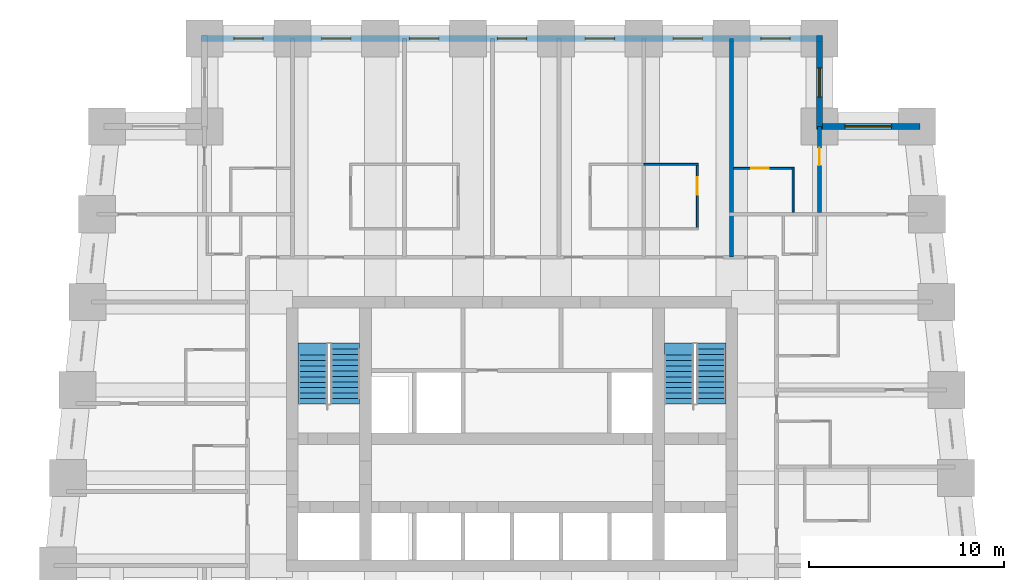
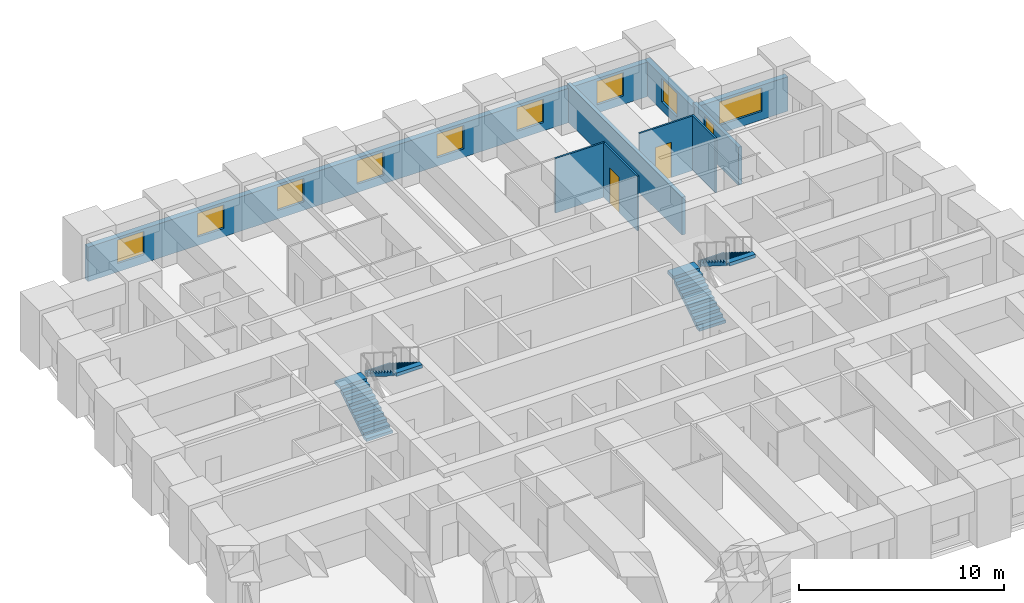
# One storey, part 7 of 8: 9 walls, 9 windows, 4 stair flights, 3 doors, 12 openings, 2 elements without a shape of their own.
"""IFC4 building model written with IfcOpenShell, lengths in metres."""

from ifc_helpers import new_model, si_unit, direction, frame, frame_2d, origin, place, context, subcontext, project, spatial, polyline, rectangle, outline, extrude, material, layer, layer_set, type_object, element, fill, aggregate, save


model = new_model("IFC4")

# Units and contexts
model_context = context("Model", 3, precision=1e-05, world=origin(), true_north=direction((0.0, 1.0)))
body_context = subcontext(model_context, "Body", "Model", "MODEL_VIEW")
ifc_project = project(units=[si_unit("LENGTHUNIT", "METRE"), si_unit("AREAUNIT", "SQUARE_METRE"), si_unit("VOLUMEUNIT", "CUBIC_METRE"), si_unit("PLANEANGLEUNIT", "RADIAN"), si_unit("MASSUNIT", "GRAM", prefix="KILO")], contexts=[model_context])

# Site, building, storey
site_placement = place(None, origin())
site = spatial("IfcSite", under=ifc_project, at=site_placement, CompositionType="ELEMENT")
building_placement = place(site_placement, origin())
building = spatial("IfcBuilding", under=site, at=building_placement, Name="Kilele Tower Hotel", CompositionType="ELEMENT")
storey_placement = place(building_placement, frame((0.0, 0.0, 71.699951171875)))
storey = spatial("IfcBuildingStorey", under=building, at=storey_placement, Name="L17", CompositionType="ELEMENT", Elevation=71.699951171875)

# Wall
ifc_material_1 = material(Name="Moisture-resistant board")
ifc_layer_1 = layer(ifc_material_1, 0.10009765625)
ifc_layer_set_1 = layer_set([ifc_layer_1], Name="Moisture-resistant board")
wall_type_1 = type_object("IfcWallType", Name="Bathroom partition 100", PredefinedType="PLUMBINGWALL", material=ifc_layer_set_1)
wall_1_placement = place(storey_placement, frame((31.5, 34.050048828125, 0.0), z_axis=(0.0, 0.0, 1.0), x_axis=(1.0, 0.0, 0.0)))
element("IfcWall", 1, at=wall_1_placement, inside=storey, type_object=wall_type_1, Name="Bathroom partition 100 L17", PredefinedType="PLUMBINGWALL", context=body_context, shape_type="SweptSolid", body=[
    extrude(rectangle(XDim=2.800048828125, YDim=0.10009765625, at=frame_2d((1.39990234375, 0.0))), origin(), (0.0, 0.0, 1.0), 3.25),
])

# Wall, opening, door
wall_2_placement = place(storey_placement, frame((34.25, 30.699951171875, 0.0), z_axis=(0.0, 0.0, 1.0), x_axis=(0.0, 1.0, 0.0)))
wall_2 = element("IfcWall", 2, at=wall_2_placement, inside=storey, type_object=wall_type_1, Name="Bathroom partition 100 L17", PredefinedType="PLUMBINGWALL", context=body_context, shape_type="SweptSolid", body=[
    extrude(rectangle(XDim=3.400146484375, YDim=0.10009765625, at=frame_2d((1.7001953125, 0.0))), origin(), (0.0, 0.0, 1.0), 3.25),
])
opening_1_placement = place(wall_2_placement, frame((2.699951171875, 0.0, 0.0), z_axis=(0.0, 0.0, 1.0), x_axis=(-1.0, 0.0, 0.0)))
opening_1 = element("IfcOpeningElement", 3, at=opening_1_placement, cuts=wall_2, Name="Opening D2A", PredefinedType="OPENING", context=body_context, shape_type="SweptSolid", body=[
    extrude(rectangle(XDim=0.89990234375, YDim=2.10009765625, at=frame_2d((0.449951171875, 1.050048828125))), frame((0.0, 0.06005859375, 0.0), z_axis=(0.0, -1.0, 0.0), x_axis=(1.0, 0.0, 0.0)), (0.0, 0.0, 1.0), 0.1201171875),
])
ifc_material_2 = material(Name="Timber door leaf in hardwood frame", Category="wood")
door_type_1 = type_object("IfcDoorType", Name="Bathroom door 900", OperationType="SINGLE_SWING_LEFT", PredefinedType="DOOR", material=ifc_material_2)
door_1_placement = place(opening_1_placement, origin())
door_1 = element("IfcDoor", 4, at=door_1_placement, inside=storey, type_object=door_type_1, Name="Bathroom door 1713B", OperationType="SINGLE_SWING_LEFT", OverallHeight=2.10009765625, OverallWidth=0.89990234375, PredefinedType="DOOR", context=body_context, shape_type="SweptSolid", body=[
    extrude(rectangle(XDim=0.89990234375, YDim=2.10009765625, at=frame_2d((0.449951171875, 1.050048828125))), frame((0.0, 0.02490234375, 0.0), z_axis=(0.0, -1.0, 0.0), x_axis=(1.0, 0.0, 0.0)), (0.0, 0.0, 1.0), 0.050048828125),
])
fill(opening_1, door_1)

# Wall
wall_3_placement = place(storey_placement, frame((39.14990234375, 31.60009765625, 0.0), z_axis=(0.0, 0.0, 1.0), x_axis=(0.0, 1.0, 0.0)))
element("IfcWall", 5, at=wall_3_placement, inside=storey, type_object=wall_type_1, Name="Bathroom partition 100 L17", PredefinedType="PLUMBINGWALL", context=body_context, shape_type="SweptSolid", body=[
    extrude(rectangle(XDim=2.2998046875, YDim=0.10009765625, at=frame_2d((1.14990234375, 0.0))), origin(), (0.0, 0.0, 1.0), 3.25),
])

# Wall, opening, door
wall_4_placement = place(storey_placement, frame((36.10009765625, 33.85009765625, 0.0), z_axis=(0.0, 0.0, 1.0), x_axis=(1.0, 0.0, 0.0)))
wall_4 = element("IfcWall", 6, at=wall_4_placement, inside=storey, type_object=wall_type_1, Name="Bathroom partition 100 L17", PredefinedType="PLUMBINGWALL", context=body_context, shape_type="SweptSolid", body=[
    extrude(rectangle(XDim=3.099853515625, YDim=0.10009765625, at=frame_2d((1.5498046875, 0.0))), origin(), (0.0, 0.0, 1.0), 3.25),
])
opening_2_placement = place(wall_4_placement, frame((0.89990234375, 0.0, 0.0)))
opening_2 = element("IfcOpeningElement", 7, at=opening_2_placement, cuts=wall_4, Name="Opening D2A", PredefinedType="OPENING", context=body_context, shape_type="SweptSolid", body=[
    extrude(rectangle(XDim=0.89990234375, YDim=2.10009765625, at=frame_2d((0.449951171875, 1.050048828125))), frame((0.0, 0.06005859375, 0.0), z_axis=(0.0, -1.0, 0.0), x_axis=(1.0, 0.0, 0.0)), (0.0, 0.0, 1.0), 0.1201171875),
])
door_2_placement = place(opening_2_placement, origin())
door_2 = element("IfcDoor", 8, at=door_2_placement, inside=storey, type_object=door_type_1, Name="Bathroom door 1724B", OperationType="SINGLE_SWING_LEFT", OverallHeight=2.10009765625, OverallWidth=0.89990234375, PredefinedType="DOOR", context=body_context, shape_type="SweptSolid", body=[
    extrude(rectangle(XDim=0.89990234375, YDim=2.10009765625, at=frame_2d((0.449951171875, 1.050048828125))), frame((0.0, 0.02490234375, 0.0), z_axis=(0.0, -1.0, 0.0), x_axis=(1.0, 0.0, 0.0)), (0.0, 0.0, 1.0), 0.050048828125),
])
fill(opening_2, door_2)

ifc_material_3 = material(Name="Blockwork, plastered both sides", Category="masonry")
ifc_layer_2 = layer(ifc_material_3, 0.199951171875)
ifc_layer_set_2 = layer_set([ifc_layer_2], Name="Blockwork, plastered both sides")
wall_type_2 = type_object("IfcWallType", Name="Partition wall 200", PredefinedType="PARTITIONING", material=ifc_layer_set_2)
wall_5_placement = place(storey_placement, frame((40.5, 31.60009765625, 0.0), z_axis=(0.0, 0.0, 1.0), x_axis=(0.0, 1.0, 0.0)))
wall_5 = element("IfcWall", 9, at=wall_5_placement, inside=storey, type_object=wall_type_2, Name="Partition wall 200 L17", PredefinedType="PARTITIONING", context=body_context, shape_type="SweptSolid", body=[
    extrude(rectangle(XDim=4.39990234375, YDim=0.199951171875, at=frame_2d((2.199951171875, 0.0))), origin(), (0.0, 0.0, 1.0), 2.25),
])
opening_3_placement = place(wall_5_placement, frame((2.39990234375, 0.0, 0.0)))
opening_3 = element("IfcOpeningElement", 10, at=opening_3_placement, cuts=wall_5, Name="Opening D3", PredefinedType="OPENING", context=body_context, shape_type="SweptSolid", body=[
    extrude(rectangle(XDim=0.89990234375, YDim=2.10009765625, at=frame_2d((0.449951171875, 1.050048828125))), frame((0.0, 0.10986328125, 0.0), z_axis=(0.0, -1.0, 0.0), x_axis=(1.0, 0.0, 0.0)), (0.0, 0.0, 1.0), 0.219970703125),
])
ifc_material_4 = material(Name="Timber door leaf in hardwood frame", Category="wood")
door_type_2 = type_object("IfcDoorType", Name="Suite internal door 900", OperationType="SINGLE_SWING_LEFT", PredefinedType="DOOR", material=ifc_material_4)
door_3_placement = place(opening_3_placement, origin())
door_3 = element("IfcDoor", 11, at=door_3_placement, inside=storey, type_object=door_type_2, Name="Suite door 1725", OperationType="SINGLE_SWING_RIGHT", OverallHeight=2.10009765625, OverallWidth=0.89990234375, PredefinedType="DOOR", context=body_context, shape_type="SweptSolid", body=[
    extrude(rectangle(XDim=0.89990234375, YDim=2.10009765625, at=frame_2d((0.449951171875, 1.050048828125))), frame((0.0, 0.02490234375, 0.0), z_axis=(0.0, -1.0, 0.0), x_axis=(1.0, 0.0, 0.0)), (0.0, 0.0, 1.0), 0.050048828125),
])
fill(opening_3, door_3)

# Wall
ifc_material_5 = material(Name="Blockwork, plastered both sides", Category="masonry")
ifc_layer_3 = layer(ifc_material_5, 0.199951171875)
ifc_layer_set_3 = layer_set([ifc_layer_3], Name="Blockwork, plastered both sides")
wall_type_3 = type_object("IfcWallType", Name="Party wall 200", PredefinedType="PARTITIONING", material=ifc_layer_set_3)
wall_6_placement = place(storey_placement, frame((36.0, 29.300048828125, 0.0), z_axis=(0.0, 0.0, 1.0), x_axis=(0.0, 1.0, 0.0)))
element("IfcWall", 12, at=wall_6_placement, inside=storey, type_object=wall_type_3, Name="Party wall 200 L17", PredefinedType="PARTITIONING", context=body_context, shape_type="SweptSolid", body=[
    extrude(rectangle(XDim=11.199951171875, YDim=0.199951171875, at=frame_2d((5.60009765625, 0.0))), origin(), (0.0, 0.0, 1.0), 2.25),
])

# Wall, opening, window
ifc_material_6 = material(Name="Concrete C40/50 precast", Category="concrete")
ifc_layer_4 = layer(ifc_material_6, 0.260009765625, Name="Precast backing", Category="LoadBearing")
ifc_material_7 = material(Name="Reconstituted stone finish", Category="masonry")
ifc_layer_5 = layer(ifc_material_7, 0.0400390625, Name="Face mix", Category="Finish")
ifc_layer_set_4 = layer_set([ifc_layer_4, ifc_layer_5], Name="Precast concrete C40/50, reconstituted stone finish")
wall_type_4 = type_object("IfcWallType", Name="Precast stone facade wall 300", PredefinedType="STANDARD", material=ifc_layer_set_4)
wall_7_placement = place(storey_placement, frame((45.64990234375, 36.0, 0.0), z_axis=(0.0, 0.0, 1.0), x_axis=(-1.0, 0.0, 0.0)))
wall_7 = element("IfcWall", 13, at=wall_7_placement, inside=storey, type_object=wall_type_4, Name="Facade wall L17 edge 7", PredefinedType="STANDARD", context=body_context, shape_type="SweptSolid", body=[
    extrude(rectangle(XDim=5.2998046875, YDim=0.300048828125, at=frame_2d((2.64990234375, 0.0))), origin(), (0.0, 0.0, 1.0), 2.050048828125),
])
opening_4_placement = place(wall_7_placement, frame((1.449951171875, 0.0, 0.5)))
opening_4 = element("IfcOpeningElement", 14, at=opening_4_placement, cuts=wall_7, Name="Opening W1", PredefinedType="OPENING", context=body_context, shape_type="SweptSolid", body=[
    extrude(rectangle(XDim=2.39990234375, YDim=1.39990234375, at=frame_2d((1.199951171875, 0.699951171875))), frame((0.0, 0.159912109375, 0.0), z_axis=(0.0, -1.0, 0.0), x_axis=(1.0, 0.0, 0.0)), (0.0, 0.0, 1.0), 0.320068359375),
])
ifc_material_8 = material(Name="Aluminium frame, clear double glazing", Category="aluminium")
window_type_1 = type_object("IfcWindowType", Name="Window W1 2400 x 1400", PartitioningType="SINGLE_PANEL", PredefinedType="WINDOW", material=ifc_material_8)
window_1_placement = place(opening_4_placement, origin())
window_1 = element("IfcWindow", 15, at=window_1_placement, inside=storey, type_object=window_type_1, Name="Window L17", OverallHeight=1.39990234375, OverallWidth=2.39990234375, PartitioningType="SINGLE_PANEL", PredefinedType="WINDOW", context=body_context, shape_type="SweptSolid", body=[
    extrude(rectangle(XDim=2.39990234375, YDim=1.39990234375, at=frame_2d((1.199951171875, 0.699951171875))), frame((0.0, 0.030029296875, 0.0), z_axis=(0.0, -1.0, 0.0), x_axis=(1.0, 0.0, 0.0)), (0.0, 0.0, 1.0), 0.06005859375),
])
fill(opening_4, window_1)

wall_8_placement = place(storey_placement, frame((40.5, 35.85009765625, 0.0), z_axis=(0.0, 0.0, 1.0), x_axis=(0.0, 1.0, 0.0)))
wall_8 = element("IfcWall", 16, at=wall_8_placement, inside=storey, type_object=wall_type_4, Name="Facade wall L17 edge 8", PredefinedType="STANDARD", context=body_context, shape_type="SweptSolid", body=[
    extrude(rectangle(XDim=4.7998046875, YDim=0.300048828125, at=frame_2d((2.39990234375, 0.0))), origin(), (0.0, 0.0, 1.0), 2.050048828125),
])
opening_5_placement = place(wall_8_placement, frame((1.64990234375, 0.0, 0.5)))
opening_5 = element("IfcOpeningElement", 17, at=opening_5_placement, cuts=wall_8, Name="Opening W1", PredefinedType="OPENING", context=body_context, shape_type="SweptSolid", body=[
    extrude(rectangle(XDim=1.5, YDim=1.39990234375, at=frame_2d((0.75, 0.699951171875))), frame((0.0, 0.159912109375, 0.0), z_axis=(0.0, -1.0, 0.0), x_axis=(1.0, 0.0, 0.0)), (0.0, 0.0, 1.0), 0.320068359375),
])
ifc_material_9 = material(Name="Aluminium frame, clear double glazing", Category="aluminium")
window_type_2 = type_object("IfcWindowType", Name="Window W1 1500 x 1400", PartitioningType="SINGLE_PANEL", PredefinedType="WINDOW", material=ifc_material_9)
window_2_placement = place(opening_5_placement, origin())
window_2 = element("IfcWindow", 18, at=window_2_placement, inside=storey, type_object=window_type_2, Name="Window L17", OverallHeight=1.39990234375, OverallWidth=1.5, PartitioningType="SINGLE_PANEL", PredefinedType="WINDOW", context=body_context, shape_type="SweptSolid", body=[
    extrude(rectangle(XDim=1.5, YDim=1.39990234375, at=frame_2d((0.75, 0.699951171875))), frame((0.0, 0.030029296875, 0.0), z_axis=(0.0, -1.0, 0.0), x_axis=(1.0, 0.0, 0.0)), (0.0, 0.0, 1.0), 0.06005859375),
])
fill(opening_5, window_2)

# Wall, openings, windows
wall_9_placement = place(storey_placement, frame((40.64990234375, 40.5, 0.0), z_axis=(0.0, 0.0, 1.0), x_axis=(-1.0, 0.0, 0.0)))
wall_9 = element("IfcWall", 19, at=wall_9_placement, inside=storey, type_object=wall_type_4, Name="Facade wall L17 edge 9", PredefinedType="STANDARD", context=body_context, shape_type="SweptSolid", body=[
    extrude(rectangle(XDim=31.7998046875, YDim=0.300048828125, at=frame_2d((15.89990234375, 0.0))), origin(), (0.0, 0.0, 1.0), 2.050048828125),
])
opening_6_placement = place(wall_9_placement, frame((1.64990234375, 0.0, 0.5)))
opening_6 = element("IfcOpeningElement", 20, at=opening_6_placement, cuts=wall_9, Name="Opening W1", PredefinedType="OPENING", context=body_context, shape_type="SweptSolid", body=[
    extrude(rectangle(XDim=1.5, YDim=1.39990234375, at=frame_2d((0.75, 0.699951171875))), frame((0.0, 0.159912109375, 0.0), z_axis=(0.0, -1.0, 0.0), x_axis=(1.0, 0.0, 0.0)), (0.0, 0.0, 1.0), 0.320068359375),
])
opening_7_placement = place(wall_9_placement, frame((6.14990234375, 0.0, 0.5)))
opening_7 = element("IfcOpeningElement", 21, at=opening_7_placement, cuts=wall_9, Name="Opening W1", PredefinedType="OPENING", context=body_context, shape_type="SweptSolid", body=[
    extrude(rectangle(XDim=1.5, YDim=1.39990234375, at=frame_2d((0.75, 0.699951171875))), frame((0.0, 0.159912109375, 0.0), z_axis=(0.0, -1.0, 0.0), x_axis=(1.0, 0.0, 0.0)), (0.0, 0.0, 1.0), 0.320068359375),
])
opening_8_placement = place(wall_9_placement, frame((10.64990234375, 0.0, 0.5)))
opening_8 = element("IfcOpeningElement", 22, at=opening_8_placement, cuts=wall_9, Name="Opening W1", PredefinedType="OPENING", context=body_context, shape_type="SweptSolid", body=[
    extrude(rectangle(XDim=1.5, YDim=1.39990234375, at=frame_2d((0.75, 0.699951171875))), frame((0.0, 0.159912109375, 0.0), z_axis=(0.0, -1.0, 0.0), x_axis=(1.0, 0.0, 0.0)), (0.0, 0.0, 1.0), 0.320068359375),
])
opening_9_placement = place(wall_9_placement, frame((15.14990234375, 0.0, 0.5)))
opening_9 = element("IfcOpeningElement", 23, at=opening_9_placement, cuts=wall_9, Name="Opening W1", PredefinedType="OPENING", context=body_context, shape_type="SweptSolid", body=[
    extrude(rectangle(XDim=1.5, YDim=1.39990234375, at=frame_2d((0.75, 0.699951171875))), frame((0.0, 0.159912109375, 0.0), z_axis=(0.0, -1.0, 0.0), x_axis=(1.0, 0.0, 0.0)), (0.0, 0.0, 1.0), 0.320068359375),
])
opening_10_placement = place(wall_9_placement, frame((19.64990234375, 0.0, 0.5)))
opening_10 = element("IfcOpeningElement", 24, at=opening_10_placement, cuts=wall_9, Name="Opening W1", PredefinedType="OPENING", context=body_context, shape_type="SweptSolid", body=[
    extrude(rectangle(XDim=1.5, YDim=1.39990234375, at=frame_2d((0.75, 0.699951171875))), frame((0.0, 0.159912109375, 0.0), z_axis=(0.0, -1.0, 0.0), x_axis=(1.0, 0.0, 0.0)), (0.0, 0.0, 1.0), 0.320068359375),
])
opening_11_placement = place(wall_9_placement, frame((24.14990234375, 0.0, 0.5)))
opening_11 = element("IfcOpeningElement", 25, at=opening_11_placement, cuts=wall_9, Name="Opening W1", PredefinedType="OPENING", context=body_context, shape_type="SweptSolid", body=[
    extrude(rectangle(XDim=1.5, YDim=1.39990234375, at=frame_2d((0.75, 0.699951171875))), frame((0.0, 0.159912109375, 0.0), z_axis=(0.0, -1.0, 0.0), x_axis=(1.0, 0.0, 0.0)), (0.0, 0.0, 1.0), 0.320068359375),
])
opening_12_placement = place(wall_9_placement, frame((28.64990234375, 0.0, 0.5)))
opening_12 = element("IfcOpeningElement", 26, at=opening_12_placement, cuts=wall_9, Name="Opening W1", PredefinedType="OPENING", context=body_context, shape_type="SweptSolid", body=[
    extrude(rectangle(XDim=1.5, YDim=1.39990234375, at=frame_2d((0.75, 0.699951171875))), frame((0.0, 0.159912109375, 0.0), z_axis=(0.0, -1.0, 0.0), x_axis=(1.0, 0.0, 0.0)), (0.0, 0.0, 1.0), 0.320068359375),
])
window_3_placement = place(opening_6_placement, origin())
window_3 = element("IfcWindow", 27, at=window_3_placement, inside=storey, type_object=window_type_2, Name="Window L17", OverallHeight=1.39990234375, OverallWidth=1.5, PartitioningType="SINGLE_PANEL", PredefinedType="WINDOW", context=body_context, shape_type="SweptSolid", body=[
    extrude(rectangle(XDim=1.5, YDim=1.39990234375, at=frame_2d((0.75, 0.699951171875))), frame((0.0, 0.030029296875, 0.0), z_axis=(0.0, -1.0, 0.0), x_axis=(1.0, 0.0, 0.0)), (0.0, 0.0, 1.0), 0.06005859375),
])
fill(opening_6, window_3)
window_4_placement = place(opening_7_placement, origin())
window_4 = element("IfcWindow", 28, at=window_4_placement, inside=storey, type_object=window_type_2, Name="Window L17", OverallHeight=1.39990234375, OverallWidth=1.5, PartitioningType="SINGLE_PANEL", PredefinedType="WINDOW", context=body_context, shape_type="SweptSolid", body=[
    extrude(rectangle(XDim=1.5, YDim=1.39990234375, at=frame_2d((0.75, 0.699951171875))), frame((0.0, 0.030029296875, 0.0), z_axis=(0.0, -1.0, 0.0), x_axis=(1.0, 0.0, 0.0)), (0.0, 0.0, 1.0), 0.06005859375),
])
fill(opening_7, window_4)
window_5_placement = place(opening_8_placement, origin())
window_5 = element("IfcWindow", 29, at=window_5_placement, inside=storey, type_object=window_type_2, Name="Window L17", OverallHeight=1.39990234375, OverallWidth=1.5, PartitioningType="SINGLE_PANEL", PredefinedType="WINDOW", context=body_context, shape_type="SweptSolid", body=[
    extrude(rectangle(XDim=1.5, YDim=1.39990234375, at=frame_2d((0.75, 0.699951171875))), frame((0.0, 0.030029296875, 0.0), z_axis=(0.0, -1.0, 0.0), x_axis=(1.0, 0.0, 0.0)), (0.0, 0.0, 1.0), 0.06005859375),
])
fill(opening_8, window_5)
window_6_placement = place(opening_9_placement, origin())
window_6 = element("IfcWindow", 30, at=window_6_placement, inside=storey, type_object=window_type_2, Name="Window L17", OverallHeight=1.39990234375, OverallWidth=1.5, PartitioningType="SINGLE_PANEL", PredefinedType="WINDOW", context=body_context, shape_type="SweptSolid", body=[
    extrude(rectangle(XDim=1.5, YDim=1.39990234375, at=frame_2d((0.75, 0.699951171875))), frame((0.0, 0.030029296875, 0.0), z_axis=(0.0, -1.0, 0.0), x_axis=(1.0, 0.0, 0.0)), (0.0, 0.0, 1.0), 0.06005859375),
])
fill(opening_9, window_6)
window_7_placement = place(opening_10_placement, origin())
window_7 = element("IfcWindow", 31, at=window_7_placement, inside=storey, type_object=window_type_2, Name="Window L17", OverallHeight=1.39990234375, OverallWidth=1.5, PartitioningType="SINGLE_PANEL", PredefinedType="WINDOW", context=body_context, shape_type="SweptSolid", body=[
    extrude(rectangle(XDim=1.5, YDim=1.39990234375, at=frame_2d((0.75, 0.699951171875))), frame((0.0, 0.030029296875, 0.0), z_axis=(0.0, -1.0, 0.0), x_axis=(1.0, 0.0, 0.0)), (0.0, 0.0, 1.0), 0.06005859375),
])
fill(opening_10, window_7)
window_8_placement = place(opening_11_placement, origin())
window_8 = element("IfcWindow", 32, at=window_8_placement, inside=storey, type_object=window_type_2, Name="Window L17", OverallHeight=1.39990234375, OverallWidth=1.5, PartitioningType="SINGLE_PANEL", PredefinedType="WINDOW", context=body_context, shape_type="SweptSolid", body=[
    extrude(rectangle(XDim=1.5, YDim=1.39990234375, at=frame_2d((0.75, 0.699951171875))), frame((0.0, 0.030029296875, 0.0), z_axis=(0.0, -1.0, 0.0), x_axis=(1.0, 0.0, 0.0)), (0.0, 0.0, 1.0), 0.06005859375),
])
fill(opening_11, window_8)
window_9_placement = place(opening_12_placement, origin())
window_9 = element("IfcWindow", 33, at=window_9_placement, inside=storey, type_object=window_type_2, Name="Window L17", OverallHeight=1.39990234375, OverallWidth=1.5, PartitioningType="SINGLE_PANEL", PredefinedType="WINDOW", context=body_context, shape_type="SweptSolid", body=[
    extrude(rectangle(XDim=1.5, YDim=1.39990234375, at=frame_2d((0.75, 0.699951171875))), frame((0.0, 0.030029296875, 0.0), z_axis=(0.0, -1.0, 0.0), x_axis=(1.0, 0.0, 0.0)), (0.0, 0.0, 1.0), 0.06005859375),
])
fill(opening_12, window_9)

# Stair, stair flights
ifc_material_10 = material(Name="Precast concrete C40/50", Category="concrete")
stair_type = type_object("IfcStairType", Name="Stair 1475 x 3500", PredefinedType="HALF_TURN_STAIR", material=ifc_material_10)
stair_1_placement = place(storey_placement, origin())
stair_1 = element("IfcStair", 34, at=stair_1_placement, inside=storey, type_object=stair_type, Name="Stair 1 L17", PredefinedType="HALF_TURN_STAIR")
ifc_material_11 = material(Name="Precast concrete C40/50", Category="concrete")
stair_flight_type = type_object("IfcStairFlightType", Name="Flight 1475 riser 175.0", PredefinedType="STRAIGHT", material=ifc_material_11)
stair_flight_1_placement = place(storey_placement, frame((14.53759765625, 21.77490234375, 0.0), z_axis=(0.0, 0.0, 1.0), x_axis=(0.0, 1.0, 0.0)))
stair_flight_1 = element("IfcStairFlight", 35, at=stair_flight_1_placement, type_object=stair_flight_type, Name="ST1 flight 1", NumberOfRisers=10, NumberOfTreads=9, PredefinedType="STRAIGHT", RiserHeight=0.175, TreadLength=0.28, context=body_context, shape_type="SweptSolid", body=[
    extrude(outline(polyline([(0.0, 0.0), (0.0, 0.175048828125), (0.280029296875, 0.175048828125), (0.280029296875, 0.35009765625), (0.56005859375, 0.35009765625), (0.56005859375, 0.52490234375), (0.840087890625, 0.52490234375), (0.840087890625, 0.699951171875), (1.1201171875, 0.699951171875), (1.1201171875, 0.875), (1.39990234375, 0.875), (1.39990234375, 1.050048828125), (1.679931640625, 1.050048828125), (1.679931640625, 1.22509765625), (1.9599609375, 1.22509765625), (1.9599609375, 1.39990234375), (2.239990234375, 1.39990234375), (2.239990234375, 1.574951171875), (2.52001953125, 1.574951171875), (2.52001953125, 1.75), (2.52001953125, 1.398193359375), (0.28271484375, 0.0), (0.0, 0.0)])), frame((0.0, 0.737548828125, 0.0), z_axis=(0.0, -1.0, 0.0), x_axis=(1.0, 0.0, 0.0)), (0.0, 0.0, 1.0), 1.47509765625),
    extrude(outline(polyline([(2.52001953125, 0.737548828125), (2.52001953125, -0.7373046875), (3.1201171875, -0.7373046875), (3.1201171875, 0.737548828125), (2.52001953125, 0.737548828125)])), frame((0.0, 0.0, 1.550048828125)), (0.0, 0.0, 1.0), 0.199951171875),
])
stair_flight_2_placement = place(storey_placement, frame((16.21240234375, 24.594970703125, 1.75), z_axis=(0.0, 0.0, 1.0), x_axis=(0.0, -1.0, 0.0)))
stair_flight_2 = element("IfcStairFlight", 36, at=stair_flight_2_placement, type_object=stair_flight_type, Name="ST1 flight 2", NumberOfRisers=10, NumberOfTreads=9, PredefinedType="STRAIGHT", RiserHeight=0.175, TreadLength=0.28, context=body_context, shape_type="SweptSolid", body=[
    extrude(outline(polyline([(0.0, 0.0), (0.0, 0.175048828125), (0.280029296875, 0.175048828125), (0.280029296875, 0.35009765625), (0.56005859375, 0.35009765625), (0.56005859375, 0.52490234375), (0.840087890625, 0.52490234375), (0.840087890625, 0.699951171875), (1.1201171875, 0.699951171875), (1.1201171875, 0.875), (1.39990234375, 0.875), (1.39990234375, 1.050048828125), (1.679931640625, 1.050048828125), (1.679931640625, 1.22509765625), (1.9599609375, 1.22509765625), (1.9599609375, 1.39990234375), (2.239990234375, 1.39990234375), (2.239990234375, 1.574951171875), (2.52001953125, 1.574951171875), (2.52001953125, 1.75), (2.52001953125, 1.398193359375), (0.28271484375, 0.0), (0.0, 0.0)])), frame((0.0, 0.737548828125, 0.0), z_axis=(0.0, -1.0, 0.0), x_axis=(1.0, 0.0, 0.0)), (0.0, 0.0, 1.0), 1.47509765625),
    extrude(outline(polyline([(0.0, -0.7373046875), (0.0, 0.737548828125), (-0.300048828125, 0.737548828125), (-0.300048828125, -0.7373046875), (0.0, -0.7373046875)])), frame((0.0, 0.0, -0.199951171875)), (0.0, 0.0, 1.0), 0.199951171875),
    extrude(outline(polyline([(2.820068359375, -0.7373046875), (2.820068359375, 0.737548828125), (2.52001953125, 0.737548828125), (2.52001953125, -0.7373046875), (2.820068359375, -0.7373046875)])), frame((0.0, 0.0, 1.550048828125)), (0.0, 0.0, 1.0), 0.199951171875),
])
aggregate(stair_1, [stair_flight_1, stair_flight_2])

stair_2_placement = place(storey_placement, origin())
stair_2 = element("IfcStair", 37, at=stair_2_placement, inside=storey, type_object=stair_type, Name="Stair 2 L17", PredefinedType="HALF_TURN_STAIR")
stair_flight_3_placement = place(storey_placement, frame((33.28759765625, 21.77490234375, 0.0), z_axis=(0.0, 0.0, 1.0), x_axis=(0.0, 1.0, 0.0)))
stair_flight_3 = element("IfcStairFlight", 38, at=stair_flight_3_placement, type_object=stair_flight_type, Name="ST2 flight 1", NumberOfRisers=10, NumberOfTreads=9, PredefinedType="STRAIGHT", RiserHeight=0.175, TreadLength=0.28, context=body_context, shape_type="SweptSolid", body=[
    extrude(outline(polyline([(0.0, 0.0), (0.0, 0.175048828125), (0.280029296875, 0.175048828125), (0.280029296875, 0.35009765625), (0.56005859375, 0.35009765625), (0.56005859375, 0.52490234375), (0.840087890625, 0.52490234375), (0.840087890625, 0.699951171875), (1.1201171875, 0.699951171875), (1.1201171875, 0.875), (1.39990234375, 0.875), (1.39990234375, 1.050048828125), (1.679931640625, 1.050048828125), (1.679931640625, 1.22509765625), (1.9599609375, 1.22509765625), (1.9599609375, 1.39990234375), (2.239990234375, 1.39990234375), (2.239990234375, 1.574951171875), (2.52001953125, 1.574951171875), (2.52001953125, 1.75), (2.52001953125, 1.398193359375), (0.28271484375, 0.0), (0.0, 0.0)])), frame((0.0, 0.737548828125, 0.0), z_axis=(0.0, -1.0, 0.0), x_axis=(1.0, 0.0, 0.0)), (0.0, 0.0, 1.0), 1.47509765625),
    extrude(outline(polyline([(2.52001953125, 0.737548828125), (2.52001953125, -0.7373046875), (3.1201171875, -0.7373046875), (3.1201171875, 0.737548828125), (2.52001953125, 0.737548828125)])), frame((0.0, 0.0, 1.550048828125)), (0.0, 0.0, 1.0), 0.199951171875),
])
stair_flight_4_placement = place(storey_placement, frame((34.96240234375, 24.594970703125, 1.75), z_axis=(0.0, 0.0, 1.0), x_axis=(0.0, -1.0, 0.0)))
stair_flight_4 = element("IfcStairFlight", 39, at=stair_flight_4_placement, type_object=stair_flight_type, Name="ST2 flight 2", NumberOfRisers=10, NumberOfTreads=9, PredefinedType="STRAIGHT", RiserHeight=0.175, TreadLength=0.28, context=body_context, shape_type="SweptSolid", body=[
    extrude(outline(polyline([(0.0, 0.0), (0.0, 0.175048828125), (0.280029296875, 0.175048828125), (0.280029296875, 0.35009765625), (0.56005859375, 0.35009765625), (0.56005859375, 0.52490234375), (0.840087890625, 0.52490234375), (0.840087890625, 0.699951171875), (1.1201171875, 0.699951171875), (1.1201171875, 0.875), (1.39990234375, 0.875), (1.39990234375, 1.050048828125), (1.679931640625, 1.050048828125), (1.679931640625, 1.22509765625), (1.9599609375, 1.22509765625), (1.9599609375, 1.39990234375), (2.239990234375, 1.39990234375), (2.239990234375, 1.574951171875), (2.52001953125, 1.574951171875), (2.52001953125, 1.75), (2.52001953125, 1.398193359375), (0.28271484375, 0.0), (0.0, 0.0)])), frame((0.0, 0.737548828125, 0.0), z_axis=(0.0, -1.0, 0.0), x_axis=(1.0, 0.0, 0.0)), (0.0, 0.0, 1.0), 1.47509765625),
    extrude(outline(polyline([(0.0, -0.7373046875), (0.0, 0.737548828125), (-0.300048828125, 0.737548828125), (-0.300048828125, -0.7373046875), (0.0, -0.7373046875)])), frame((0.0, 0.0, -0.199951171875)), (0.0, 0.0, 1.0), 0.199951171875),
    extrude(outline(polyline([(2.820068359375, -0.7373046875), (2.820068359375, 0.737548828125), (2.52001953125, 0.737548828125), (2.52001953125, -0.7373046875), (2.820068359375, -0.7373046875)])), frame((0.0, 0.0, 1.550048828125)), (0.0, 0.0, 1.0), 0.199951171875),
])
aggregate(stair_2, [stair_flight_3, stair_flight_4])

save(model, "model.ifc")
